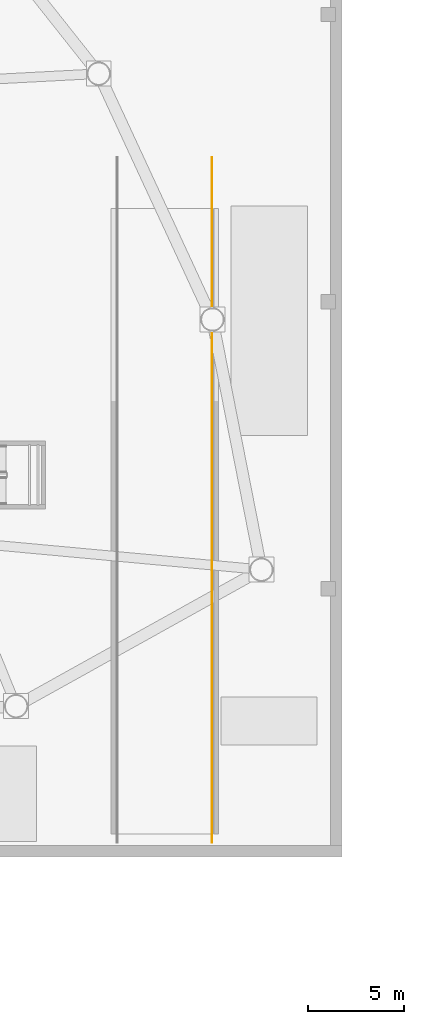
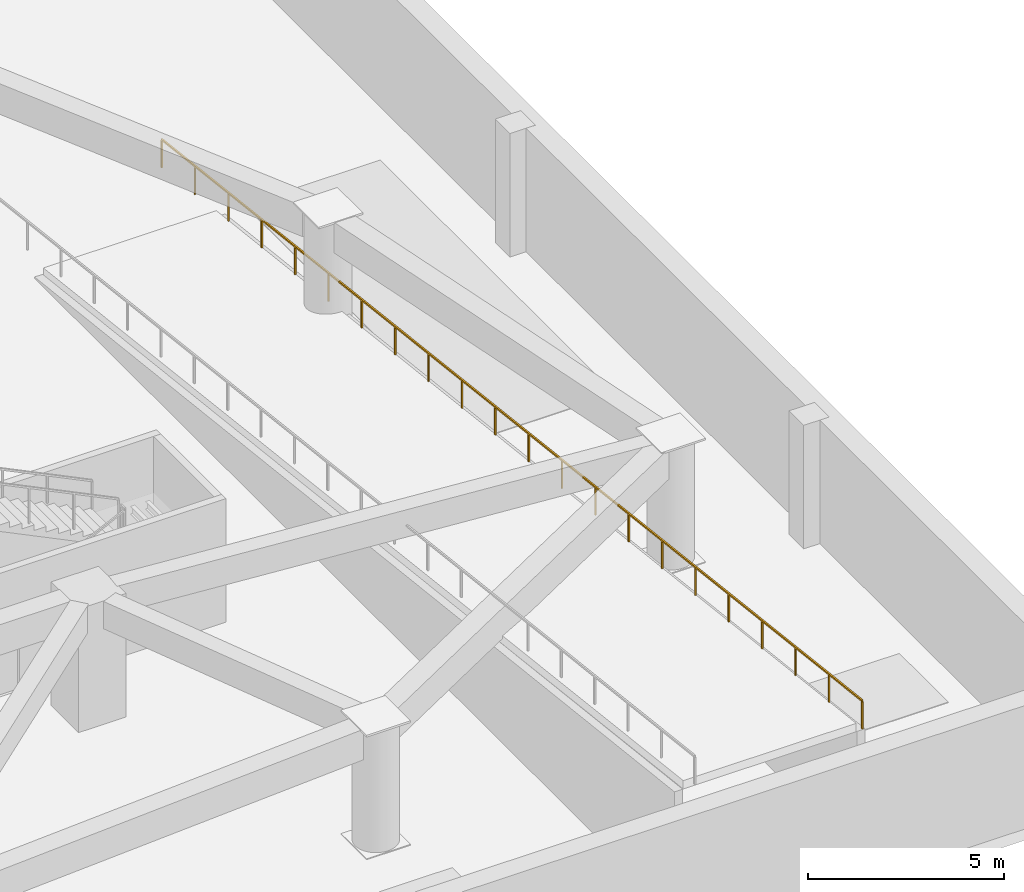
# One storey, part 9 of 9: 1 railing.
"""IFC4 building model written with IfcOpenShell, lengths in metres."""

from ifc_helpers import new_model, si_unit, direction, frame, origin, origin_2d, place, context, subcontext, project, spatial, rectangle, extrude, material, type_object, element, save


model = new_model("IFC4")

# Units and contexts
model_context = context("Model", 3, precision=1e-05, world=origin(), true_north=direction((0.0, 1.0)))
body_context = subcontext(model_context, "Body", "Model", "MODEL_VIEW")
ifc_project = project(units=[si_unit("LENGTHUNIT", "METRE"), si_unit("AREAUNIT", "SQUARE_METRE"), si_unit("VOLUMEUNIT", "CUBIC_METRE"), si_unit("PLANEANGLEUNIT", "RADIAN"), si_unit("MASSUNIT", "GRAM", prefix="KILO")], contexts=[model_context])

# Site, building, storey
site_placement = place(None, origin())
site = spatial("IfcSite", under=ifc_project, at=site_placement, CompositionType="ELEMENT")
building_placement = place(site_placement, origin())
building = spatial("IfcBuilding", under=site, at=building_placement, Name="Tavelor Broadcast Tower", CompositionType="ELEMENT")
storey_placement = place(building_placement, frame((0.0, 0.0, -4.199951171875)))
storey = spatial("IfcBuildingStorey", under=building, at=storey_placement, Name="B01", CompositionType="ELEMENT", Elevation=-4.199951171875)

# Railing
ifc_material = material(Name="Steel S355", Category="steel")
railing_type = type_object("IfcRailingType", Name="Continuous Brushed Stainless Handrail 900 mm", PredefinedType="HANDRAIL", material=ifc_material)
railing_placement = place(storey_placement, frame((75.219970703125, 52.530029296875, 0.0)))
element("IfcRailing", 1, at=railing_placement, inside=storey, type_object=railing_type, Name="Vehicle Ramp East Handrail", PredefinedType="HANDRAIL", context=body_context, shape_type="SweptSolid", body=[
    extrude(rectangle(XDim=0.048095703125, YDim=0.048095703125, at=origin_2d()), frame((0.0, 0.0, 0.8759765625), z_axis=(0.0, -0.993181054775, 0.116582127429), x_axis=(1.0, 0.0, 0.0)), (0.0, 0.0, 1.0), 36.025634765625),
    extrude(rectangle(XDim=0.0419921875, YDim=0.0419921875, at=origin_2d()), origin(), (0.0, 0.0, 1.0), 0.851806640625),
    extrude(rectangle(XDim=0.0419921875, YDim=0.0419921875, at=origin_2d()), frame((0.0, -1.703857421875, 0.199951171875)), (0.0, 0.0, 1.0), 0.851806640625),
    extrude(rectangle(XDim=0.0419921875, YDim=0.0419921875, at=origin_2d()), frame((0.0, -3.40771484375, 0.39990234375)), (0.0, 0.0, 1.0), 0.851806640625),
    extrude(rectangle(XDim=0.0419921875, YDim=0.0419921875, at=origin_2d()), frame((0.0, -5.111328125, 0.60009765625)), (0.0, 0.0, 1.0), 0.851806640625),
    extrude(rectangle(XDim=0.0419921875, YDim=0.0419921875, at=origin_2d()), frame((0.0, -6.815185546875, 0.800048828125)), (0.0, 0.0, 1.0), 0.851806640625),
    extrude(rectangle(XDim=0.0419921875, YDim=0.0419921875, at=origin_2d()), frame((0.0, -8.51904296875, 1.0)), (0.0, 0.0, 1.0), 0.851806640625),
    extrude(rectangle(XDim=0.0419921875, YDim=0.0419921875, at=origin_2d()), frame((0.0, -10.222900390625, 1.199951171875)), (0.0, 0.0, 1.0), 0.851806640625),
    extrude(rectangle(XDim=0.0419921875, YDim=0.0419921875, at=origin_2d()), frame((0.0, -11.9267578125, 1.39990234375)), (0.0, 0.0, 1.0), 0.851806640625),
    extrude(rectangle(XDim=0.0419921875, YDim=0.0419921875, at=origin_2d()), frame((0.0, -13.63037109375, 1.60009765625)), (0.0, 0.0, 1.0), 0.851806640625),
    extrude(rectangle(XDim=0.0419921875, YDim=0.0419921875, at=origin_2d()), frame((0.0, -15.334228515625, 1.800048828125)), (0.0, 0.0, 1.0), 0.851806640625),
    extrude(rectangle(XDim=0.0419921875, YDim=0.0419921875, at=origin_2d()), frame((0.0, -17.0380859375, 2.0)), (0.0, 0.0, 1.0), 0.851806640625),
    extrude(rectangle(XDim=0.0419921875, YDim=0.0419921875, at=origin_2d()), frame((0.0, -18.741943359375, 2.199951171875)), (0.0, 0.0, 1.0), 0.851806640625),
    extrude(rectangle(XDim=0.0419921875, YDim=0.0419921875, at=origin_2d()), frame((0.0, -20.44580078125, 2.39990234375)), (0.0, 0.0, 1.0), 0.851806640625),
    extrude(rectangle(XDim=0.0419921875, YDim=0.0419921875, at=origin_2d()), frame((0.0, -22.149658203125, 2.599853515625)), (0.0, 0.0, 1.0), 0.851806640625),
    extrude(rectangle(XDim=0.0419921875, YDim=0.0419921875, at=origin_2d()), frame((0.0, -23.853271484375, 2.800048828125)), (0.0, 0.0, 1.0), 0.851806640625),
    extrude(rectangle(XDim=0.0419921875, YDim=0.0419921875, at=origin_2d()), frame((0.0, -25.55712890625, 3.0)), (0.0, 0.0, 1.0), 0.851806640625),
    extrude(rectangle(XDim=0.0419921875, YDim=0.0419921875, at=origin_2d()), frame((0.0, -27.260986328125, 3.199951171875)), (0.0, 0.0, 1.0), 0.851806640625),
    extrude(rectangle(XDim=0.0419921875, YDim=0.0419921875, at=origin_2d()), frame((0.0, -28.96484375, 3.39990234375)), (0.0, 0.0, 1.0), 0.851806640625),
    extrude(rectangle(XDim=0.0419921875, YDim=0.0419921875, at=origin_2d()), frame((0.0, -30.668701171875, 3.599853515625)), (0.0, 0.0, 1.0), 0.851806640625),
    extrude(rectangle(XDim=0.0419921875, YDim=0.0419921875, at=origin_2d()), frame((0.0, -32.372314453125, 3.800048828125)), (0.0, 0.0, 1.0), 0.851806640625),
    extrude(rectangle(XDim=0.0419921875, YDim=0.0419921875, at=origin_2d()), frame((0.0, -34.076171875, 4.0)), (0.0, 0.0, 1.0), 0.851806640625),
    extrude(rectangle(XDim=0.0419921875, YDim=0.0419921875, at=origin_2d()), frame((0.0, -35.780029296875, 4.199951171875)), (0.0, 0.0, 1.0), 0.851806640625),
])

save(model, "model.ifc")
